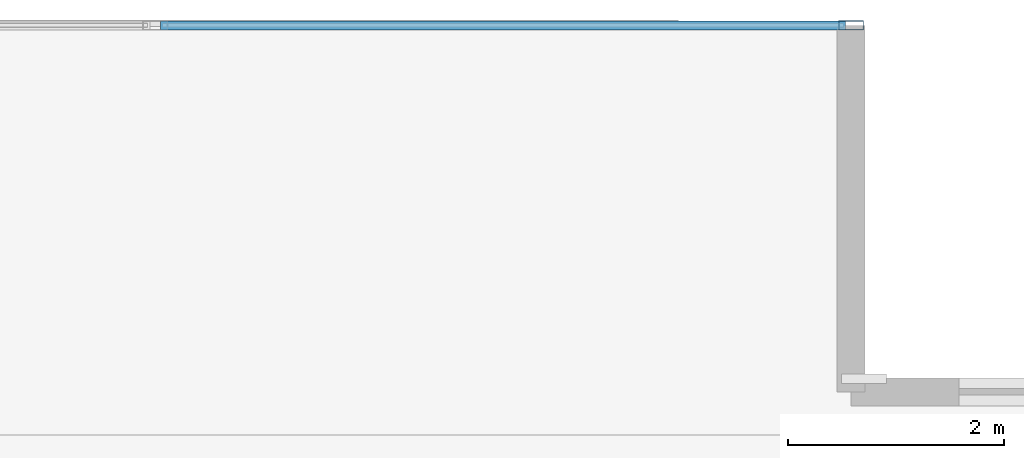
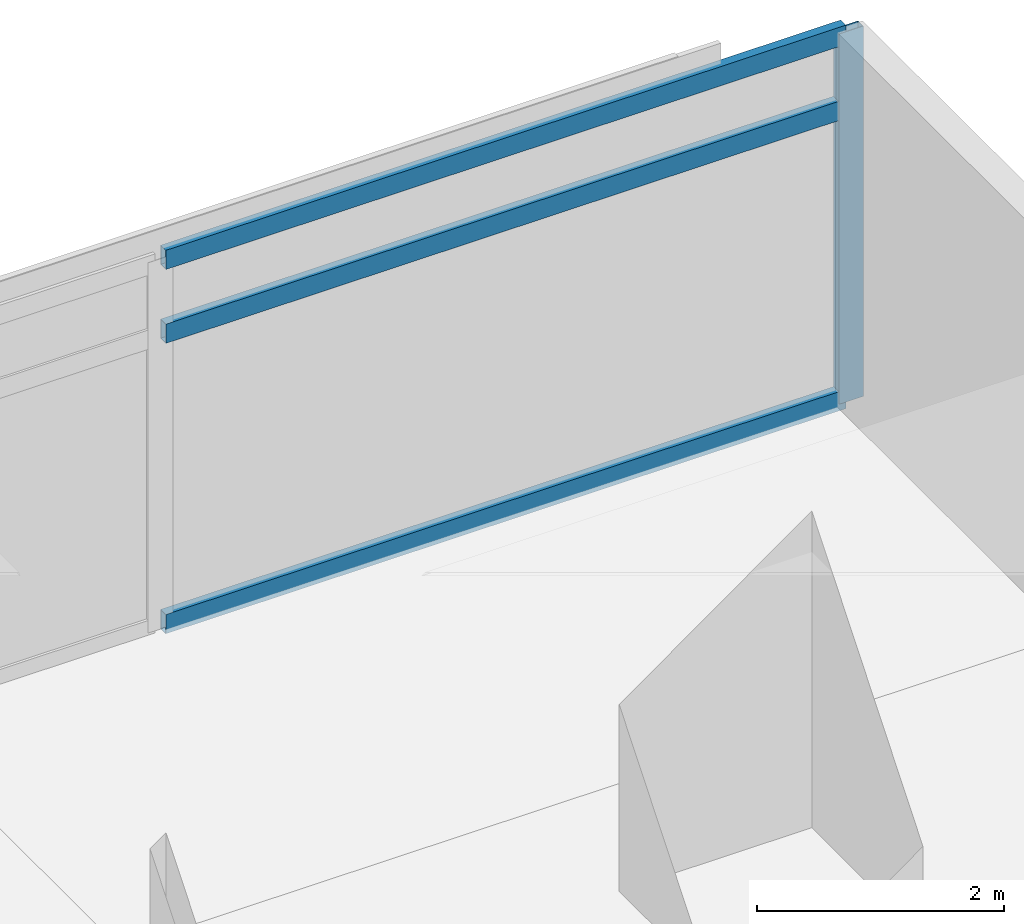
# One storey, part 12 of 23: 4 members, 1 element without a shape of its own.
"""IFC4 building model written with IfcOpenShell, lengths in metres."""

import ifcopenshell
import ifcopenshell.guid

model = None  # the IFC model being written
_history = None  # IfcOwnerHistory: only IFC2X3 demands one
_inside = {}  # id of a spatial element -> (the spatial element, [elements in it])
_under = {}  # id of a project, library or spatial element -> (it, [spatial elements below it])
_declared = {}  # id of a project -> (the project, [libraries it declares])
_typed = {}  # id of a type object -> (the type object, [elements of that type])
_made_of = {}  # id of a material, layer set ... -> (it, [elements and type objects made of it])


def new_model(schema):
    """Start an empty IFC model of exactly this schema.

    Asked for "IFC4X3", IfcOpenShell would pick the latest addendum, in which some entities
    have other attributes; the version numbers below select the first issue.
    IFC2X3 requires an IfcOwnerHistory on every rooted entity: one is made here for all.
    """
    global model, _history
    if schema == "IFC4X3":
        model = ifcopenshell.file(schema_version=(4, 3, 0, 0))
    else:
        model = ifcopenshell.file(schema=schema)
    _inside.clear()
    _under.clear()
    _declared.clear()
    _typed.clear()
    _made_of.clear()
    _history = None
    if model.schema == "IFC2X3":
        org = make("IfcOrganization", Name="unknown")
        user = make(
            "IfcPersonAndOrganization",
            ThePerson=make("IfcPerson", FamilyName="unknown"),
            TheOrganization=org,
        )
        app = make(
            "IfcApplication",
            ApplicationDeveloper=org,
            Version="unknown",
            ApplicationFullName="unknown",
            ApplicationIdentifier="unknown",
        )
        _history = make(
            "IfcOwnerHistory",
            OwningUser=user,
            OwningApplication=app,
            ChangeAction="ADDED",
            CreationDate=0,
        )
    return model


def make(cls, **values):
    """One entity of the class cls with the attributes given. An attribute that is None is left unset."""
    return model.create_entity(
        cls, **{name: value for name, value in values.items() if value is not None}
    )


def rooted(cls, **values):
    """An entity with a GlobalId (a new one), such as an element, a storey or a relation."""
    return make(cls, GlobalId=ifcopenshell.guid.new(), OwnerHistory=_history, **values)


def si_unit(unit_type, name, prefix=None):
    """IfcSIUnit, for example si_unit("LENGTHUNIT", "METRE", prefix="MILLI")."""
    return make("IfcSIUnit", UnitType=unit_type, Prefix=prefix, Name=name)


def assignment(units):
    """IfcUnitAssignment: the units of a project."""
    return None if units is None else make("IfcUnitAssignment", Units=units)


def point(xyz):
    """IfcCartesianPoint."""
    return None if xyz is None else make("IfcCartesianPoint", Coordinates=xyz)


def direction(xyz):
    """IfcDirection."""
    return None if xyz is None else make("IfcDirection", DirectionRatios=xyz)


def frame(location, z_axis=None, x_axis=None):
    """IfcAxis2Placement3D, a coordinate frame: its origin and axes. An axis left out is left unset."""
    return make(
        "IfcAxis2Placement3D",
        Location=point(location),
        Axis=direction(z_axis),
        RefDirection=direction(x_axis),
    )


def frame_2d(location, x_axis=None):
    """IfcAxis2Placement2D, a coordinate frame in the plane: its origin and x axis."""
    return make(
        "IfcAxis2Placement2D", Location=point(location), RefDirection=direction(x_axis)
    )


def origin():
    """The frame at (0, 0, 0) with its axes left unset."""
    return frame((0.0, 0.0, 0.0))


def origin_2d():
    """The frame at (0, 0) in the plane with its x axis left unset."""
    return frame_2d((0.0, 0.0))


def place(relative_to, where):
    """IfcLocalPlacement: puts the frame where relative to a parent placement (None: the world)."""
    return make(
        "IfcLocalPlacement", PlacementRelTo=relative_to, RelativePlacement=where
    )


def context(
    kind, dimensions, precision=None, world=None, true_north=None, identifier=None
):
    """IfcGeometricRepresentationContext, for example the 3D "Model" context."""
    return make(
        "IfcGeometricRepresentationContext",
        ContextIdentifier=identifier,
        ContextType=kind,
        CoordinateSpaceDimension=dimensions,
        Precision=precision,
        WorldCoordinateSystem=world,
        TrueNorth=true_north,
    )


def subcontext(parent, identifier, kind, view, scale=None):
    """IfcGeometricRepresentationSubContext, for example "Body" below "Model"."""
    return make(
        "IfcGeometricRepresentationSubContext",
        ContextIdentifier=identifier,
        ContextType=kind,
        ParentContext=parent,
        TargetScale=scale,
        TargetView=view,
    )


def project(units=None, contexts=None):
    """IfcProject with its units and contexts."""
    return rooted(
        "IfcProject",
        Name="project",
        RepresentationContexts=contexts,
        UnitsInContext=assignment(units),
    )


def spatial(cls, under=None, at=None, **own):
    """A site, building, storey or space (cls), placed at a placement, below another one or the project."""
    s = rooted(cls, ObjectPlacement=at, **own)
    if under is not None:
        _under.setdefault(under.id(), (under, []))[1].append(s)
    return s


def profile(cls, at=None, kind="AREA", **sizes):
    """A parametric profile (cls). Its sizes go by their IFC names, for example OverallWidth=200.0."""
    return make(cls, ProfileType=kind, Position=at, **sizes)


def hollow_rectangle(**sizes):
    """IfcRectangleHollowProfileDef."""
    return profile("IfcRectangleHollowProfileDef", **sizes)


def extrude(swept, where, along, depth):
    """IfcExtrudedAreaSolid: the profile swept, set in the frame where, extruded along a direction by depth."""
    return make(
        "IfcExtrudedAreaSolid",
        SweptArea=swept,
        Position=where,
        ExtrudedDirection=direction(along),
        Depth=depth,
    )


def shape(context_of_items, identifier, shape_type, items):
    """IfcShapeRepresentation: the items that make up one representation, for example the "Body"."""
    return make(
        "IfcShapeRepresentation",
        ContextOfItems=context_of_items,
        RepresentationIdentifier=identifier,
        RepresentationType=shape_type,
        Items=items,
    )


def material(Name=None, Category=None):
    """IfcMaterial."""
    return make("IfcMaterial", Name=Name, Category=Category)


def material_profile(
    of_material, cross_section, Name=None, Category=None, Priority=None
):
    """IfcMaterialProfile: a cross section and its material."""
    return make(
        "IfcMaterialProfile",
        Name=Name,
        Material=of_material,
        Profile=cross_section,
        Priority=Priority,
        Category=Category,
    )


def profile_set(profiles, Name=None, composite=None):
    """IfcMaterialProfileSet."""
    return make(
        "IfcMaterialProfileSet",
        Name=Name,
        MaterialProfiles=profiles,
        CompositeProfile=composite,
    )


def made_of(thing, what):
    """Note that an element or type object is made of a material, layer set ...; save() writes the relation."""
    if what is not None:
        _made_of.setdefault(what.id(), (what, []))[1].append(thing)
    return thing


def type_object(cls, material=None, **own):
    """A type object (cls), such as IfcWallType, which elements share."""
    return made_of(rooted(cls, **own), material)


def element(
    cls,
    number,
    at=None,
    inside=None,
    cuts=None,
    type_object=None,
    material=None,
    context=None,
    identifier="Body",
    shape_type=None,
    held_by="IfcProductDefinitionShape",
    body=None,
    shapes=None,
    **own,
):
    """One element of the class cls, such as IfcWall. Its Tag is "e" and its number.

    at: its placement. inside: the storey or other place that contains it. cuts: it is an
    opening in that element (IfcRelVoidsElement). A single representation is given by context,
    identifier, shape_type and body (its items); several are given by shapes. held_by: the class
    of the entity that holds the representations. save() writes the other relations.
    """
    e = rooted(cls, Tag="e%d" % number, ObjectPlacement=at, **own)
    if body is not None:
        shapes = [shape(context, identifier, shape_type, body)]
    if shapes is not None:
        e.Representation = make(held_by, Representations=shapes)
    if inside is not None:
        _inside.setdefault(inside.id(), (inside, []))[1].append(e)
    if cuts is not None:
        rooted(
            "IfcRelVoidsElement", RelatingBuildingElement=cuts, RelatedOpeningElement=e
        )
    if type_object is not None:
        _typed.setdefault(type_object.id(), (type_object, []))[1].append(e)
    return made_of(e, material)


def aggregate(whole, parts):
    """IfcRelAggregates: a whole, such as a stair, and the parts it consists of."""
    return rooted("IfcRelAggregates", RelatingObject=whole, RelatedObjects=parts)


def save(model, path):
    """Write the relations noted so far, then the file.

    IfcRelAggregates (storeys below a building ...), IfcRelContainedInSpatialStructure (elements
    in a storey), IfcRelDefinesByType, IfcRelAssociatesMaterial and IfcRelDeclares: one each for
    every whole, place, type object, material and project.
    """
    for whole, parts in _under.values():
        aggregate(whole, parts)
    for where, things in _inside.values():
        rooted(
            "IfcRelContainedInSpatialStructure",
            RelatedElements=things,
            RelatingStructure=where,
        )
    for kind, things in _typed.values():
        rooted("IfcRelDefinesByType", RelatedObjects=things, RelatingType=kind)
    for what, things in _made_of.values():
        rooted("IfcRelAssociatesMaterial", RelatedObjects=things, RelatingMaterial=what)
    for by, libraries in _declared.values():
        rooted("IfcRelDeclares", RelatingContext=by, RelatedDefinitions=libraries)
    model.write(path)


model = new_model("IFC4")

# Units and contexts
model_context = context("Model", 3, precision=1e-05, world=origin(), true_north=direction((0.0, 1.0)))
body_context = subcontext(model_context, "Body", "Model", "MODEL_VIEW")
ifc_project = project(units=[si_unit("LENGTHUNIT", "METRE"), si_unit("AREAUNIT", "SQUARE_METRE"), si_unit("VOLUMEUNIT", "CUBIC_METRE"), si_unit("PLANEANGLEUNIT", "RADIAN"), si_unit("MASSUNIT", "GRAM", prefix="KILO")], contexts=[model_context])

# Site, building, storey
site_placement = place(None, origin())
site = spatial("IfcSite", under=ifc_project, at=site_placement, CompositionType="ELEMENT")
building_placement = place(site_placement, origin())
building = spatial("IfcBuilding", under=site, at=building_placement, Name="Kovane Verandah Tower", CompositionType="ELEMENT")
storey_placement = place(building_placement, frame((0.0, 0.0, 103.60009765625)))
storey = spatial("IfcBuildingStorey", under=building, at=storey_placement, Name="L24", CompositionType="ELEMENT", Elevation=103.60009765625)

# Curtain wall, members
ifc_material_1 = material(Name="Champagne Anodised Aluminium Frame with Low-E Clear Laminated Glass", Category="aluminium")
curtain_wall_type = type_object("IfcCurtainWallType", Name="CW-SYS-02-LOW", PredefinedType="NOTDEFINED", material=ifc_material_1)
curtain_wall_placement = place(storey_placement, origin())
curtain_wall = element("IfcCurtainWall", 1, at=curtain_wall_placement, inside=storey, type_object=curtain_wall_type, Name="L24 N Unitised Curtain Wall", PredefinedType="NOTDEFINED")
ifc_material_2 = material(Name="Champagne Anodised Aluminium 6063-T6", Category="aluminium")
ifc_material_profile_1 = material_profile(ifc_material_2, hollow_rectangle(XDim=0.0849609375, YDim=0.22998046875, WallThickness=0.00390625, at=origin_2d()), Name="AL85x230x4")
ifc_profile_set_1 = profile_set([ifc_material_profile_1], Name="Champagne Anodised Aluminium 6063-T6")
member_type_1 = type_object("IfcMemberType", Name="CW-MUL-85x230", PredefinedType="MULLION", material=ifc_profile_set_1)
member_1_placement = place(storey_placement, frame((62.5986328125, 50.218994140625, 0.02001953125), z_axis=(0.0, 0.0, 1.0), x_axis=(0.0, 1.0, 0.0)))
member_1 = element("IfcMember", 2, at=member_1_placement, type_object=member_type_1, Name="L24 N Unitised Curtain Wall Mullion 1", PredefinedType="MULLION", context=body_context, shape_type="SweptSolid", body=[
    extrude(hollow_rectangle(XDim=0.0849609375, YDim=0.22998046875, WallThickness=0.00390625, at=origin_2d()), origin(), (0.0, 0.0, 1.0), 3.659912109375),
])
ifc_material_profile_2 = material_profile(ifc_material_2, hollow_rectangle(XDim=0.0849609375, YDim=0.18994140625, WallThickness=0.00390625, at=origin_2d()), Name="AL85x190x4")
ifc_profile_set_2 = profile_set([ifc_material_profile_2], Name="Champagne Anodised Aluminium 6063-T6")
member_type_2 = type_object("IfcMemberType", Name="CW-TRN-85x190", PredefinedType="USERDEFINED", material=ifc_profile_set_2)
member_2_placement = place(storey_placement, frame((62.548583984375, 50.218994140625, 0.0498046875), z_axis=(-1.0, 0.0, 0.0), x_axis=(0.0, -1.0, 0.0)))
member_2 = element("IfcMember", 3, at=member_2_placement, type_object=member_type_2, Name="L24 N Unitised Curtain Wall Transom TB Bay 1", ObjectType="TRANSOM", PredefinedType="USERDEFINED", context=body_context, shape_type="SweptSolid", body=[
    extrude(hollow_rectangle(XDim=0.0849609375, YDim=0.18994140625, WallThickness=0.00390625, at=origin_2d()), origin(), (0.0, 0.0, 1.0), 6.356689453125),
])
member_3_placement = place(storey_placement, frame((62.548583984375, 50.218994140625, 2.919921875), z_axis=(-1.0, 0.0, 0.0), x_axis=(0.0, -1.0, 0.0)))
member_3 = element("IfcMember", 4, at=member_3_placement, type_object=member_type_2, Name="L24 N Unitised Curtain Wall Transom TM Bay 1", ObjectType="TRANSOM", PredefinedType="USERDEFINED", context=body_context, shape_type="SweptSolid", body=[
    extrude(hollow_rectangle(XDim=0.0849609375, YDim=0.18994140625, WallThickness=0.00390625, at=origin_2d()), origin(), (0.0, 0.0, 1.0), 6.356689453125),
])
member_4_placement = place(storey_placement, frame((62.548583984375, 50.218994140625, 3.64990234375), z_axis=(-1.0, 0.0, 0.0), x_axis=(0.0, -1.0, 0.0)))
member_4 = element("IfcMember", 5, at=member_4_placement, type_object=member_type_2, Name="L24 N Unitised Curtain Wall Transom TT Bay 1", ObjectType="TRANSOM", PredefinedType="USERDEFINED", context=body_context, shape_type="SweptSolid", body=[
    extrude(hollow_rectangle(XDim=0.0849609375, YDim=0.18994140625, WallThickness=0.00390625, at=origin_2d()), origin(), (0.0, 0.0, 1.0), 6.356689453125),
])
aggregate(curtain_wall, [member_1, member_2, member_3, member_4])

save(model, "model.ifc")
